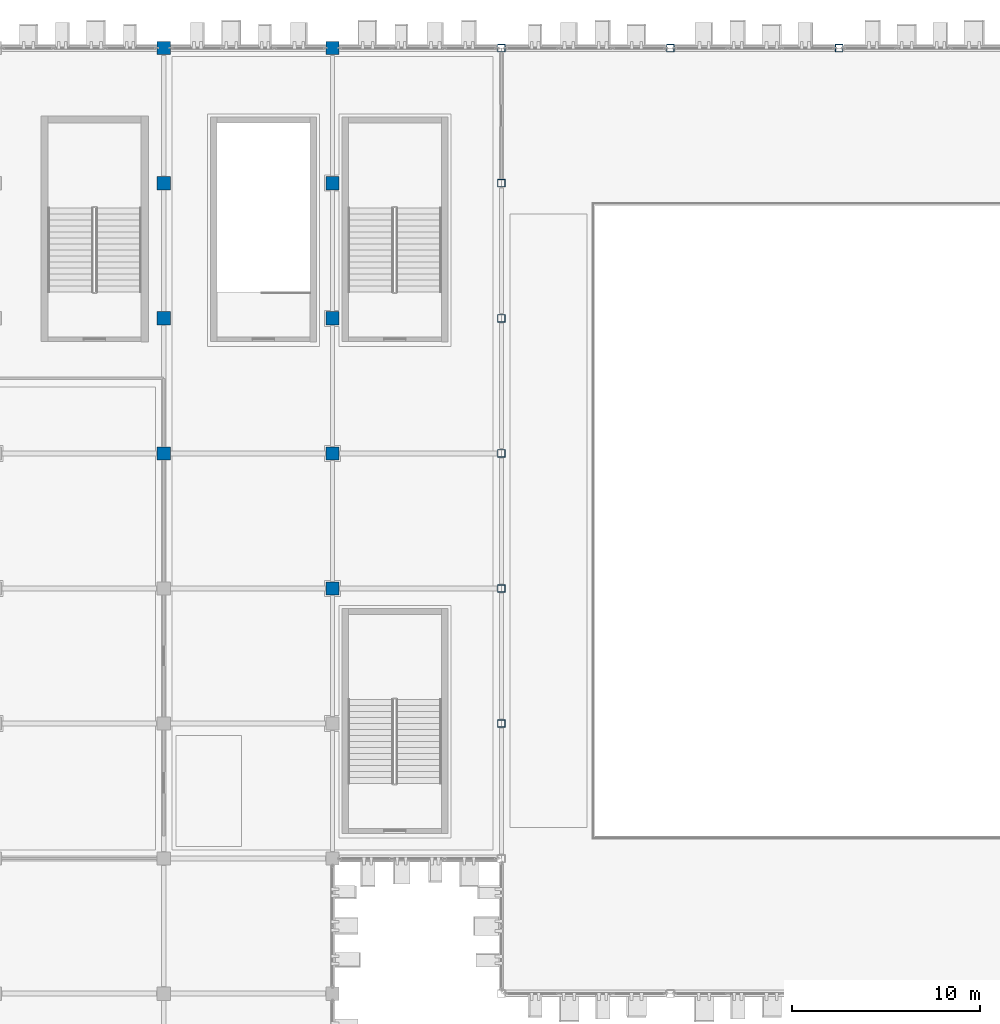
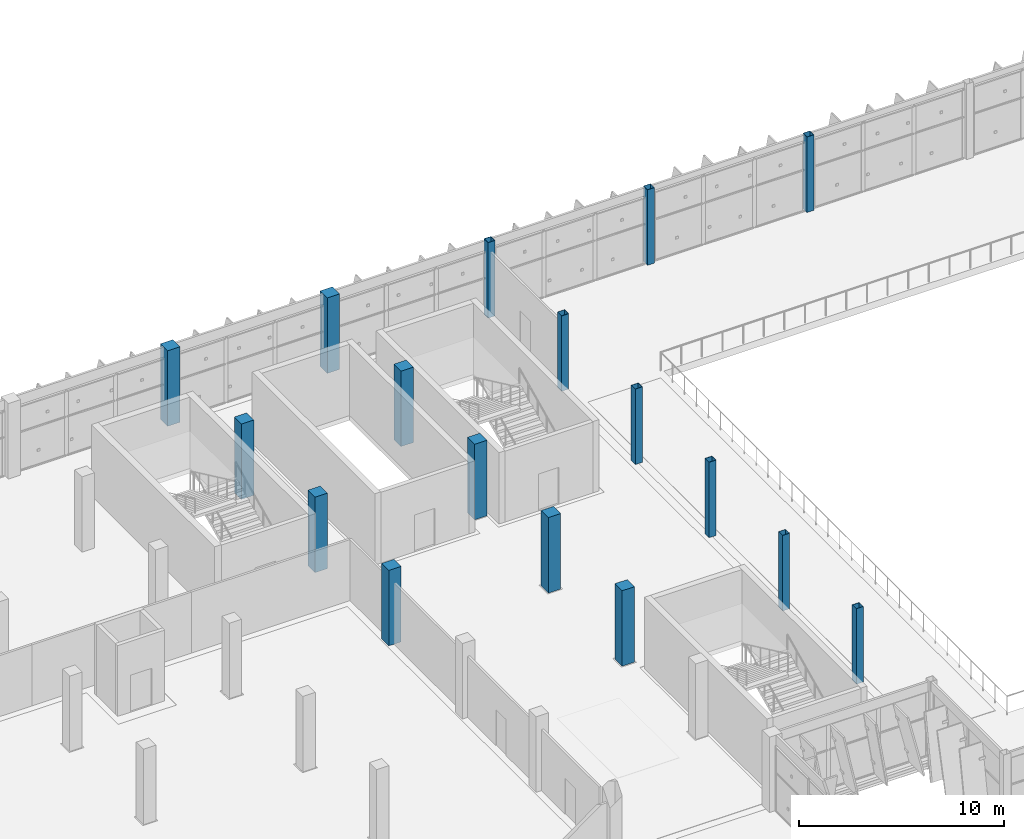
# One storey, part 12 of 151: 17 columns.
"""IFC4 building model written with IfcOpenShell, lengths in metres."""

import ifcopenshell
import ifcopenshell.guid

model = None  # the IFC model being written
_history = None  # IfcOwnerHistory: only IFC2X3 demands one
_inside = {}  # id of a spatial element -> (the spatial element, [elements in it])
_under = {}  # id of a project, library or spatial element -> (it, [spatial elements below it])
_declared = {}  # id of a project -> (the project, [libraries it declares])
_typed = {}  # id of a type object -> (the type object, [elements of that type])
_made_of = {}  # id of a material, layer set ... -> (it, [elements and type objects made of it])


def new_model(schema):
    """Start an empty IFC model of exactly this schema.

    Asked for "IFC4X3", IfcOpenShell would pick the latest addendum, in which some entities
    have other attributes; the version numbers below select the first issue.
    IFC2X3 requires an IfcOwnerHistory on every rooted entity: one is made here for all.
    """
    global model, _history
    if schema == "IFC4X3":
        model = ifcopenshell.file(schema_version=(4, 3, 0, 0))
    else:
        model = ifcopenshell.file(schema=schema)
    _inside.clear()
    _under.clear()
    _declared.clear()
    _typed.clear()
    _made_of.clear()
    _history = None
    if model.schema == "IFC2X3":
        org = make("IfcOrganization", Name="unknown")
        user = make(
            "IfcPersonAndOrganization",
            ThePerson=make("IfcPerson", FamilyName="unknown"),
            TheOrganization=org,
        )
        app = make(
            "IfcApplication",
            ApplicationDeveloper=org,
            Version="unknown",
            ApplicationFullName="unknown",
            ApplicationIdentifier="unknown",
        )
        _history = make(
            "IfcOwnerHistory",
            OwningUser=user,
            OwningApplication=app,
            ChangeAction="ADDED",
            CreationDate=0,
        )
    return model


def make(cls, **values):
    """One entity of the class cls with the attributes given. An attribute that is None is left unset."""
    return model.create_entity(
        cls, **{name: value for name, value in values.items() if value is not None}
    )


def rooted(cls, **values):
    """An entity with a GlobalId (a new one), such as an element, a storey or a relation."""
    return make(cls, GlobalId=ifcopenshell.guid.new(), OwnerHistory=_history, **values)


def si_unit(unit_type, name, prefix=None):
    """IfcSIUnit, for example si_unit("LENGTHUNIT", "METRE", prefix="MILLI")."""
    return make("IfcSIUnit", UnitType=unit_type, Prefix=prefix, Name=name)


def assignment(units):
    """IfcUnitAssignment: the units of a project."""
    return None if units is None else make("IfcUnitAssignment", Units=units)


def point(xyz):
    """IfcCartesianPoint."""
    return None if xyz is None else make("IfcCartesianPoint", Coordinates=xyz)


def direction(xyz):
    """IfcDirection."""
    return None if xyz is None else make("IfcDirection", DirectionRatios=xyz)


def frame(location, z_axis=None, x_axis=None):
    """IfcAxis2Placement3D, a coordinate frame: its origin and axes. An axis left out is left unset."""
    return make(
        "IfcAxis2Placement3D",
        Location=point(location),
        Axis=direction(z_axis),
        RefDirection=direction(x_axis),
    )


def frame_2d(location, x_axis=None):
    """IfcAxis2Placement2D, a coordinate frame in the plane: its origin and x axis."""
    return make(
        "IfcAxis2Placement2D", Location=point(location), RefDirection=direction(x_axis)
    )


def origin():
    """The frame at (0, 0, 0) with its axes left unset."""
    return frame((0.0, 0.0, 0.0))


def origin_2d():
    """The frame at (0, 0) in the plane with its x axis left unset."""
    return frame_2d((0.0, 0.0))


def place(relative_to, where):
    """IfcLocalPlacement: puts the frame where relative to a parent placement (None: the world)."""
    return make(
        "IfcLocalPlacement", PlacementRelTo=relative_to, RelativePlacement=where
    )


def context(
    kind, dimensions, precision=None, world=None, true_north=None, identifier=None
):
    """IfcGeometricRepresentationContext, for example the 3D "Model" context."""
    return make(
        "IfcGeometricRepresentationContext",
        ContextIdentifier=identifier,
        ContextType=kind,
        CoordinateSpaceDimension=dimensions,
        Precision=precision,
        WorldCoordinateSystem=world,
        TrueNorth=true_north,
    )


def subcontext(parent, identifier, kind, view, scale=None):
    """IfcGeometricRepresentationSubContext, for example "Body" below "Model"."""
    return make(
        "IfcGeometricRepresentationSubContext",
        ContextIdentifier=identifier,
        ContextType=kind,
        ParentContext=parent,
        TargetScale=scale,
        TargetView=view,
    )


def project(units=None, contexts=None):
    """IfcProject with its units and contexts."""
    return rooted(
        "IfcProject",
        Name="project",
        RepresentationContexts=contexts,
        UnitsInContext=assignment(units),
    )


def spatial(cls, under=None, at=None, **own):
    """A site, building, storey or space (cls), placed at a placement, below another one or the project."""
    s = rooted(cls, ObjectPlacement=at, **own)
    if under is not None:
        _under.setdefault(under.id(), (under, []))[1].append(s)
    return s


def profile(cls, at=None, kind="AREA", **sizes):
    """A parametric profile (cls). Its sizes go by their IFC names, for example OverallWidth=200.0."""
    return make(cls, ProfileType=kind, Position=at, **sizes)


def rectangle(**sizes):
    """IfcRectangleProfileDef."""
    return profile("IfcRectangleProfileDef", **sizes)


def hollow_rectangle(**sizes):
    """IfcRectangleHollowProfileDef."""
    return profile("IfcRectangleHollowProfileDef", **sizes)


def extrude(swept, where, along, depth):
    """IfcExtrudedAreaSolid: the profile swept, set in the frame where, extruded along a direction by depth."""
    return make(
        "IfcExtrudedAreaSolid",
        SweptArea=swept,
        Position=where,
        ExtrudedDirection=direction(along),
        Depth=depth,
    )


def shape(context_of_items, identifier, shape_type, items):
    """IfcShapeRepresentation: the items that make up one representation, for example the "Body"."""
    return make(
        "IfcShapeRepresentation",
        ContextOfItems=context_of_items,
        RepresentationIdentifier=identifier,
        RepresentationType=shape_type,
        Items=items,
    )


def material(Name=None, Category=None):
    """IfcMaterial."""
    return make("IfcMaterial", Name=Name, Category=Category)


def material_profile(
    of_material, cross_section, Name=None, Category=None, Priority=None
):
    """IfcMaterialProfile: a cross section and its material."""
    return make(
        "IfcMaterialProfile",
        Name=Name,
        Material=of_material,
        Profile=cross_section,
        Priority=Priority,
        Category=Category,
    )


def profile_set(profiles, Name=None, composite=None):
    """IfcMaterialProfileSet."""
    return make(
        "IfcMaterialProfileSet",
        Name=Name,
        MaterialProfiles=profiles,
        CompositeProfile=composite,
    )


def made_of(thing, what):
    """Note that an element or type object is made of a material, layer set ...; save() writes the relation."""
    if what is not None:
        _made_of.setdefault(what.id(), (what, []))[1].append(thing)
    return thing


def type_object(cls, material=None, **own):
    """A type object (cls), such as IfcWallType, which elements share."""
    return made_of(rooted(cls, **own), material)


def element(
    cls,
    number,
    at=None,
    inside=None,
    cuts=None,
    type_object=None,
    material=None,
    context=None,
    identifier="Body",
    shape_type=None,
    held_by="IfcProductDefinitionShape",
    body=None,
    shapes=None,
    **own,
):
    """One element of the class cls, such as IfcWall. Its Tag is "e" and its number.

    at: its placement. inside: the storey or other place that contains it. cuts: it is an
    opening in that element (IfcRelVoidsElement). A single representation is given by context,
    identifier, shape_type and body (its items); several are given by shapes. held_by: the class
    of the entity that holds the representations. save() writes the other relations.
    """
    e = rooted(cls, Tag="e%d" % number, ObjectPlacement=at, **own)
    if body is not None:
        shapes = [shape(context, identifier, shape_type, body)]
    if shapes is not None:
        e.Representation = make(held_by, Representations=shapes)
    if inside is not None:
        _inside.setdefault(inside.id(), (inside, []))[1].append(e)
    if cuts is not None:
        rooted(
            "IfcRelVoidsElement", RelatingBuildingElement=cuts, RelatedOpeningElement=e
        )
    if type_object is not None:
        _typed.setdefault(type_object.id(), (type_object, []))[1].append(e)
    return made_of(e, material)


def aggregate(whole, parts):
    """IfcRelAggregates: a whole, such as a stair, and the parts it consists of."""
    return rooted("IfcRelAggregates", RelatingObject=whole, RelatedObjects=parts)


def save(model, path):
    """Write the relations noted so far, then the file.

    IfcRelAggregates (storeys below a building ...), IfcRelContainedInSpatialStructure (elements
    in a storey), IfcRelDefinesByType, IfcRelAssociatesMaterial and IfcRelDeclares: one each for
    every whole, place, type object, material and project.
    """
    for whole, parts in _under.values():
        aggregate(whole, parts)
    for where, things in _inside.values():
        rooted(
            "IfcRelContainedInSpatialStructure",
            RelatedElements=things,
            RelatingStructure=where,
        )
    for kind, things in _typed.values():
        rooted("IfcRelDefinesByType", RelatedObjects=things, RelatingType=kind)
    for what, things in _made_of.values():
        rooted("IfcRelAssociatesMaterial", RelatedObjects=things, RelatingMaterial=what)
    for by, libraries in _declared.values():
        rooted("IfcRelDeclares", RelatingContext=by, RelatedDefinitions=libraries)
    model.write(path)


model = new_model("IFC4")

# Units and contexts
model_context = context("Model", 3, precision=1e-05, world=origin(), true_north=direction((0.0, 1.0)))
body_context = subcontext(model_context, "Body", "Model", "MODEL_VIEW")
ifc_project = project(units=[si_unit("LENGTHUNIT", "METRE"), si_unit("AREAUNIT", "SQUARE_METRE"), si_unit("VOLUMEUNIT", "CUBIC_METRE"), si_unit("PLANEANGLEUNIT", "RADIAN"), si_unit("MASSUNIT", "GRAM", prefix="KILO")], contexts=[model_context])

# Site, building, storey
site_placement = place(None, origin())
site = spatial("IfcSite", under=ifc_project, at=site_placement, CompositionType="ELEMENT")
building_placement = place(site_placement, origin())
building = spatial("IfcBuilding", under=site, at=building_placement, Name="Celestram Park Convention Centre", CompositionType="ELEMENT")
storey_placement = place(building_placement, frame((0.0, 0.0, 10.800048828125)))
storey = spatial("IfcBuildingStorey", under=building, at=storey_placement, Name="L02", CompositionType="ELEMENT", Elevation=10.800048828125)

# Columns
ifc_material_1 = material(Name="Steel ASTM A500 Grade C", Category="steel")
ifc_material_profile_1 = material_profile(ifc_material_1, hollow_rectangle(XDim=0.39990234375, YDim=0.39990234375, WallThickness=0.01611328125, at=origin_2d()), Name="HSS400X400X16")
ifc_profile_set_1 = profile_set([ifc_material_profile_1], Name="Steel ASTM A500 Grade C")
column_type_1 = type_object("IfcColumnType", Name="STR-COL-HSS400", PredefinedType="COLUMN", material=ifc_profile_set_1)
for number, where, z_axis, x_axis, name in (
    (1, (153.0, 129.60009765625, 0.0), (0.0, 0.0, 1.0), (1.0, 0.0, 0.0), "Column CN-L02-189"),
    (2, (153.0, 136.800048828125, 0.0), (0.0, 0.0, 1.0), (1.0, 0.0, 0.0), "Column CN-L02-190"),
    (3, (153.0, 144.0, 0.0), (0.0, 0.0, 1.0), (1.0, 0.0, 0.0), "Column CN-L02-191"),
    (4, (153.0, 151.199951171875, 0.0), (0.0, 0.0, 1.0), (1.0, 0.0, 0.0), "Column CN-L02-192"),
    (5, (153.0, 158.39990234375, 0.0), (0.0, 0.0, 1.0), (1.0, 0.0, 0.0), "Column CN-L02-193"),
    (6, (153.0, 165.60009765625, 0.0), (0.0, 0.0, 1.0), (1.0, 0.0, 0.0), "Column CN-L02-194"),
    (7, (162.0, 165.60009765625, 0.0), (0.0, 0.0, 1.0), (1.0, 0.0, 0.0), "Column CN-L02-202"),
    (8, (171.0, 165.60009765625, 0.0), (0.0, 0.0, 1.0), (1.0, 0.0, 0.0), "Column CN-L02-206"),
):
    element("IfcColumn", number, at=place(storey_placement, frame(where, z_axis=z_axis, x_axis=x_axis)), inside=storey, type_object=column_type_1, Name=name, PredefinedType="COLUMN", context=body_context, shape_type="SweptSolid", body=[
        extrude(hollow_rectangle(XDim=0.39990234375, YDim=0.39990234375, WallThickness=0.01611328125, at=origin_2d()), origin(), (0.0, 0.0, 1.0), 4.5),
    ])
ifc_material_2 = material(Name="Concrete C40/50", Category="concrete")
ifc_material_profile_2 = material_profile(ifc_material_2, rectangle(XDim=0.699951171875, YDim=0.699951171875, at=origin_2d()), Name="RC700X700")
ifc_profile_set_2 = profile_set([ifc_material_profile_2], Name="Concrete C40/50")
column_type_2 = type_object("IfcColumnType", Name="STR-COL-RC700", PredefinedType="COLUMN", material=ifc_profile_set_2)
for number, where, z_axis, x_axis, name in (
    (9, (135.0, 144.0, 0.0), (0.0, 0.0, 1.0), (1.0, 0.0, 0.0), "Column CN-L02-153"),
    (10, (135.0, 151.199951171875, 0.0), (0.0, 0.0, 1.0), (1.0, 0.0, 0.0), "Column CN-L02-154"),
    (11, (135.0, 158.39990234375, 0.0), (0.0, 0.0, 1.0), (1.0, 0.0, 0.0), "Column CN-L02-155"),
    (12, (135.0, 165.60009765625, 0.0), (0.0, 0.0, 1.0), (1.0, 0.0, 0.0), "Column CN-L02-156"),
    (13, (144.0, 136.800048828125, 0.0), (0.0, 0.0, 1.0), (1.0, 0.0, 0.0), "Column CN-L02-176"),
    (14, (144.0, 144.0, 0.0), (0.0, 0.0, 1.0), (1.0, 0.0, 0.0), "Column CN-L02-177"),
    (15, (144.0, 151.199951171875, 0.0), (0.0, 0.0, 1.0), (1.0, 0.0, 0.0), "Column CN-L02-178"),
    (16, (144.0, 158.39990234375, 0.0), (0.0, 0.0, 1.0), (1.0, 0.0, 0.0), "Column CN-L02-179"),
    (17, (144.0, 165.60009765625, 0.0), (0.0, 0.0, 1.0), (1.0, 0.0, 0.0), "Column CN-L02-180"),
):
    element("IfcColumn", number, at=place(storey_placement, frame(where, z_axis=z_axis, x_axis=x_axis)), inside=storey, type_object=column_type_2, Name=name, PredefinedType="COLUMN", context=body_context, shape_type="SweptSolid", body=[
        extrude(rectangle(XDim=0.699951171875, YDim=0.699951171875, at=origin_2d()), origin(), (0.0, 0.0, 1.0), 4.5),
    ])

save(model, "model.ifc")
